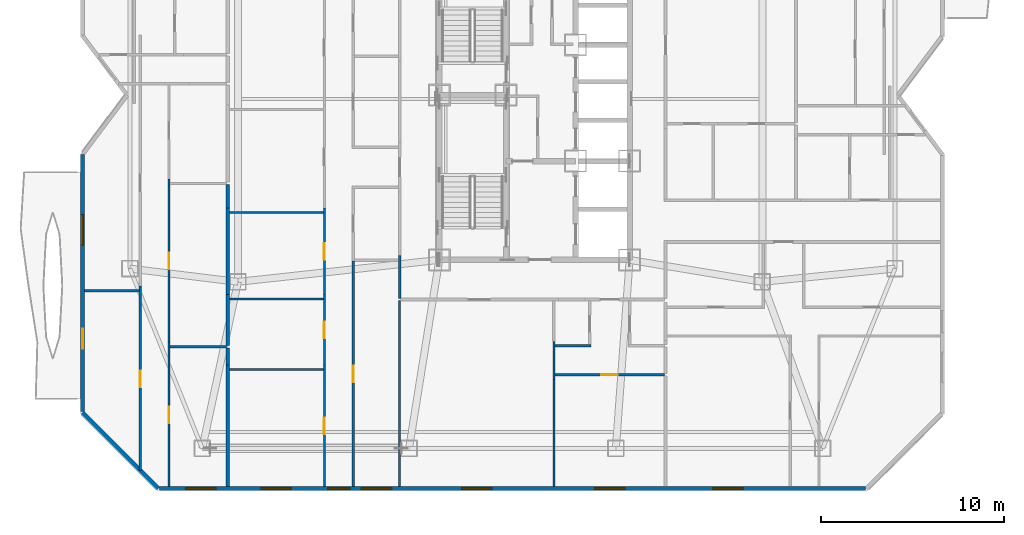
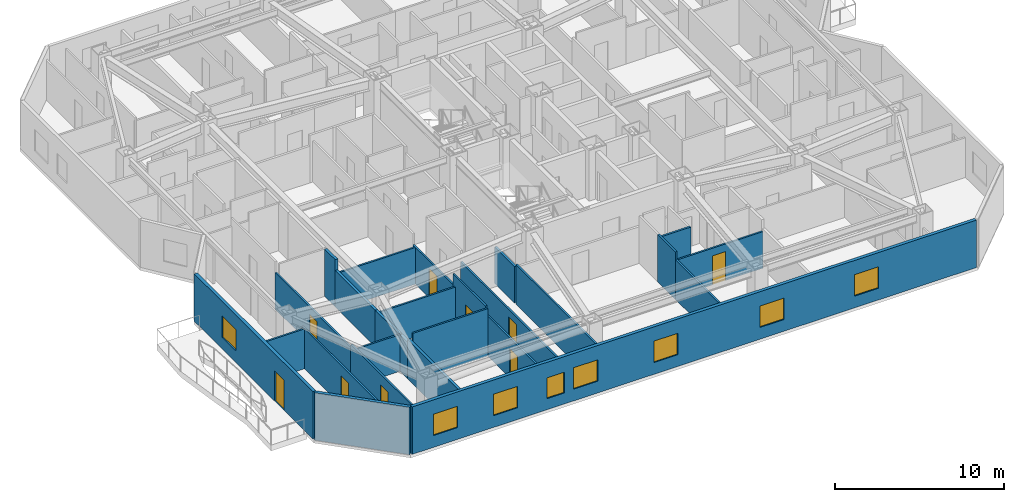
# One storey, part 7 of 16: 26 walls, 9 doors, 8 windows, 17 openings.
"""IFC4 building model written with IfcOpenShell, lengths in metres."""

from ifc_helpers import new_model, si_unit, direction, frame, frame_2d, origin, place, context, subcontext, project, spatial, rectangle, extrude, material, layer, layer_set, type_object, element, fill, save


model = new_model("IFC4")

# Units and contexts
model_context = context("Model", 3, precision=1e-05, world=origin(), true_north=direction((0.0, 1.0)))
body_context = subcontext(model_context, "Body", "Model", "MODEL_VIEW")
ifc_project = project(units=[si_unit("LENGTHUNIT", "METRE"), si_unit("AREAUNIT", "SQUARE_METRE"), si_unit("VOLUMEUNIT", "CUBIC_METRE"), si_unit("PLANEANGLEUNIT", "RADIAN"), si_unit("MASSUNIT", "GRAM", prefix="KILO")], contexts=[model_context])

# Site, building, storey
site_placement = place(None, origin())
site = spatial("IfcSite", under=ifc_project, at=site_placement, CompositionType="ELEMENT")
building_placement = place(site_placement, origin())
building = spatial("IfcBuilding", under=site, at=building_placement, Name="Khamvora Tower", CompositionType="ELEMENT")
storey_placement = place(building_placement, frame((0.0, 0.0, 134.75)))
storey = spatial("IfcBuildingStorey", under=building, at=storey_placement, Name="L34", CompositionType="ELEMENT", Elevation=134.75)

# Walls
ifc_material_1 = material(Name="Fire-Rated Drywall and Steel Stud", Category="steel")
ifc_layer_1 = layer(ifc_material_1, 0.14990234375)
ifc_layer_set_1 = layer_set([ifc_layer_1], Name="Fire-Rated Drywall and Steel Stud")
wall_type_1 = type_object("IfcWallType", Name="WAL-CORR-150", PredefinedType="STANDARD", material=ifc_layer_set_1)
wall_1_placement = place(storey_placement, frame((26.8349609375, 16.89990234375, 0.0), z_axis=(0.0, 0.0, 1.0), x_axis=(0.0, 1.0, 0.0)))
element("IfcWall", 1, at=wall_1_placement, inside=storey, type_object=wall_type_1, Name="L34 interior partition wall 012", PredefinedType="STANDARD", context=body_context, shape_type="SweptSolid", body=[
    extrude(rectangle(XDim=2.343017578125, YDim=0.14990234375, at=frame_2d((1.17138671875, 0.0))), origin(), (0.0, 0.0, 1.0), 2.64697265625),
])
ifc_material_2 = material(Name="Acoustic Double-Stud Fire Wall", Category="gypsum")
ifc_layer_2 = layer(ifc_material_2, 0.179931640625)
ifc_layer_set_2 = layer_set([ifc_layer_2], Name="Acoustic Double-Stud Fire Wall")
wall_type_2 = type_object("IfcWallType", Name="WAL-CORR-180", PredefinedType="STANDARD", material=ifc_layer_set_2)
wall_2_placement = place(storey_placement, frame((17.449951171875, 13.262939453125, 0.0), z_axis=(0.0, 0.0, 1.0), x_axis=(0.0, -1.0, 0.0)))
element("IfcWall", 2, at=wall_2_placement, inside=storey, type_object=wall_type_2, Name="L34 interior partition wall 064", PredefinedType="STANDARD", context=body_context, shape_type="SweptSolid", body=[
    extrude(rectangle(XDim=6.65087890625, YDim=0.179931640625, at=frame_2d((3.325439453125, 0.0))), origin(), (0.0, 0.0, 1.0), 2.8759765625),
])
wall_3_placement = place(storey_placement, frame((17.449951171875, 14.18896484375, 0.0), z_axis=(0.0, 0.0, 1.0), x_axis=(0.0, -1.0, 0.0)))
element("IfcWall", 3, at=wall_3_placement, inside=storey, type_object=wall_type_2, Name="L34 interior partition wall 065", PredefinedType="STANDARD", context=body_context, shape_type="SweptSolid", body=[
    extrude(rectangle(XDim=0.926025390625, YDim=0.179931640625, at=frame_2d((0.462890625, 0.0))), origin(), (0.0, 0.0, 1.0), 2.64697265625),
])
wall_4_placement = place(storey_placement, frame((17.449951171875, 17.112060546875, 0.0), z_axis=(0.0, 0.0, 1.0), x_axis=(0.0, -1.0, 0.0)))
element("IfcWall", 4, at=wall_4_placement, inside=storey, type_object=wall_type_2, Name="L34 interior partition wall 067", PredefinedType="STANDARD", context=body_context, shape_type="SweptSolid", body=[
    extrude(rectangle(XDim=2.79296875, YDim=0.179931640625, at=frame_2d((1.396484375, 0.0))), origin(), (0.0, 0.0, 1.0), 2.64697265625),
])
wall_5_placement = place(storey_placement, frame((17.449951171875, 21.845947265625, 0.0), z_axis=(0.0, 0.0, 1.0), x_axis=(0.0, -1.0, 0.0)))
element("IfcWall", 5, at=wall_5_placement, inside=storey, type_object=wall_type_2, Name="L34 interior partition wall 068", PredefinedType="STANDARD", context=body_context, shape_type="SweptSolid", body=[
    extrude(rectangle(XDim=4.73388671875, YDim=0.179931640625, at=frame_2d((2.366943359375, 0.0))), origin(), (0.0, 0.0, 1.0), 2.64697265625),
])
wall_6_placement = place(storey_placement, frame((17.449951171875, 23.116943359375, 0.0), z_axis=(0.0, 0.0, 1.0), x_axis=(0.0, -1.0, 0.0)))
element("IfcWall", 6, at=wall_6_placement, inside=storey, type_object=wall_type_2, Name="L34 interior partition wall 069", PredefinedType="STANDARD", context=body_context, shape_type="SweptSolid", body=[
    extrude(rectangle(XDim=1.27099609375, YDim=0.179931640625, at=frame_2d((0.635498046875, 0.0))), origin(), (0.0, 0.0, 1.0), 3.429931640625),
])
ifc_material_3 = material(Name="Precast concrete C40/50", Category="concrete")
ifc_layer_3 = layer(ifc_material_3, 0.219970703125)
ifc_layer_set_3 = layer_set([ifc_layer_3], Name="Precast concrete C40/50")
wall_type_3 = type_object("IfcWallType", Name="WAL-EXT-220", PredefinedType="STANDARD", material=ifc_layer_set_3)
wall_7_placement = place(storey_placement, frame((13.64599609375, 6.510009765625, 0.0), z_axis=(0.0, 0.0, 1.0), x_axis=(-0.707106781187, 0.707106781187, 0.0)))
element("IfcWall", 7, at=wall_7_placement, inside=storey, type_object=wall_type_3, Name="L34 exterior facade wall 01.1", PredefinedType="STANDARD", context=body_context, shape_type="SweptSolid", body=[
    extrude(rectangle(XDim=5.84912109375, YDim=0.219970703125, at=frame_2d((2.924560546875, 0.0))), origin(), (0.0, 0.0, 1.0), 3.429931640625),
])

# Wall, openings, door, window
wall_8_placement = place(storey_placement, frame((9.510009765625, 10.717041015625, 0.0), z_axis=(0.0, 0.0, 1.0), x_axis=(0.0, 1.0, 0.0)))
wall_8 = element("IfcWall", 8, at=wall_8_placement, inside=storey, type_object=wall_type_3, Name="L34 exterior facade wall 02.1", PredefinedType="STANDARD", context=body_context, shape_type="SweptSolid", body=[
    extrude(rectangle(XDim=14.0458984375, YDim=0.219970703125, at=frame_2d((7.02294921875, 0.0))), origin(), (0.0, 0.0, 1.0), 3.429931640625),
])
opening_1_placement = place(wall_8_placement, frame((3.427001953125, 0.0, 0.0)))
opening_1 = element("IfcOpeningElement", 9, at=opening_1_placement, cuts=wall_8, Name="Opening BD-01", PredefinedType="OPENING", context=body_context, shape_type="SweptSolid", body=[
    extrude(rectangle(XDim=1.10009765625, YDim=2.199951171875, at=frame_2d((0.550048828125, 1.10009765625))), frame((0.0, 0.119873046875, 0.0), z_axis=(0.0, -1.0, 0.0), x_axis=(1.0, 0.0, 0.0)), (0.0, 0.0, 1.0), 0.239990234375),
])
opening_2_placement = place(wall_8_placement, frame((9.10400390625, 0.0, 0.85009765625)))
opening_2 = element("IfcOpeningElement", 10, at=opening_2_placement, cuts=wall_8, Name="Opening WN-06", PredefinedType="OPENING", context=body_context, shape_type="SweptSolid", body=[
    extrude(rectangle(XDim=1.64990234375, YDim=1.550048828125, at=frame_2d((0.824951171875, 0.77490234375))), frame((0.0, 0.119873046875, 0.0), z_axis=(0.0, -1.0, 0.0), x_axis=(1.0, 0.0, 0.0)), (0.0, 0.0, 1.0), 0.239990234375),
])
ifc_material_4 = material(Name="Anodised Aluminium and Laminated Safety Glass", Category="aluminium")
door_type_1 = type_object("IfcDoorType", Name="DOR-BAL-1100", OperationType="NOTDEFINED", PredefinedType="DOOR", material=ifc_material_4)
door_1_placement = place(opening_1_placement, origin())
door_1 = element("IfcDoor", 11, at=door_1_placement, inside=storey, type_object=door_type_1, Name="L34 lens gallery balcony door WL1", OperationType="SLIDING_TO_LEFT", OverallHeight=2.199951171875, OverallWidth=1.10009765625, PredefinedType="DOOR", context=body_context, shape_type="SweptSolid", body=[
    extrude(rectangle(XDim=1.10009765625, YDim=2.199951171875, at=frame_2d((0.550048828125, 1.10009765625))), frame((0.0, 0.02490234375, 0.0), z_axis=(0.0, -1.0, 0.0), x_axis=(1.0, 0.0, 0.0)), (0.0, 0.0, 1.0), 0.050048828125),
])
fill(opening_1, door_1)
ifc_material_5 = material(Name="Low-E Laminated Double Glazing", Category="glass")
window_type_1 = type_object("IfcWindowType", Name="WIN-VIS-1650x1550", PartitioningType="SINGLE_PANEL", PredefinedType="WINDOW", material=ifc_material_5)
window_1_placement = place(opening_2_placement, origin())
window_1 = element("IfcWindow", 12, at=window_1_placement, inside=storey, type_object=window_type_1, Name="L34 vision window 02.1.01", OverallHeight=1.550048828125, OverallWidth=1.64990234375, PartitioningType="SINGLE_PANEL", PredefinedType="WINDOW", context=body_context, shape_type="SweptSolid", body=[
    extrude(rectangle(XDim=1.64990234375, YDim=1.550048828125, at=frame_2d((0.824951171875, 0.77490234375))), frame((0.0, 0.030029296875, 0.0), z_axis=(0.0, -1.0, 0.0), x_axis=(1.0, 0.0, 0.0)), (0.0, 0.0, 1.0), 0.06005859375),
])
fill(opening_2, window_1)

# Wall, openings, windows
wall_9_placement = place(storey_placement, frame((52.282958984375, 6.510009765625, 0.0), z_axis=(0.0, 0.0, 1.0), x_axis=(-1.0, 0.0, 0.0)))
wall_9 = element("IfcWall", 13, at=wall_9_placement, inside=storey, type_object=wall_type_3, Name="L34 exterior facade wall 14.1", PredefinedType="STANDARD", context=body_context, shape_type="SweptSolid", body=[
    extrude(rectangle(XDim=38.56787109375, YDim=0.219970703125, at=frame_2d((19.283935546875, 0.0))), origin(), (0.0, 0.0, 1.0), 3.429931640625),
])
opening_3_placement = place(wall_9_placement, frame((20.407958984375, 0.0, 0.85009765625)))
opening_3 = element("IfcOpeningElement", 14, at=opening_3_placement, cuts=wall_9, Name="Opening WN-06", PredefinedType="OPENING", context=body_context, shape_type="SweptSolid", body=[
    extrude(rectangle(XDim=1.64990234375, YDim=1.550048828125, at=frame_2d((0.824951171875, 0.77490234375))), frame((0.0, 0.119873046875, 0.0), z_axis=(0.0, -1.0, 0.0), x_axis=(1.0, 0.0, 0.0)), (0.0, 0.0, 1.0), 0.239990234375),
])
opening_4_placement = place(wall_9_placement, frame((35.48291015625, 0.0, 0.85009765625)))
opening_4 = element("IfcOpeningElement", 15, at=opening_4_placement, cuts=wall_9, Name="Opening WN-06", PredefinedType="OPENING", context=body_context, shape_type="SweptSolid", body=[
    extrude(rectangle(XDim=1.64990234375, YDim=1.550048828125, at=frame_2d((0.824951171875, 0.77490234375))), frame((0.0, 0.119873046875, 0.0), z_axis=(0.0, -1.0, 0.0), x_axis=(1.0, 0.0, 0.0)), (0.0, 0.0, 1.0), 0.239990234375),
])
opening_5_placement = place(wall_9_placement, frame((25.887939453125, 0.0, 0.85009765625)))
opening_5 = element("IfcOpeningElement", 16, at=opening_5_placement, cuts=wall_9, Name="Opening WN-06", PredefinedType="OPENING", context=body_context, shape_type="SweptSolid", body=[
    extrude(rectangle(XDim=1.64990234375, YDim=1.550048828125, at=frame_2d((0.824951171875, 0.77490234375))), frame((0.0, 0.119873046875, 0.0), z_axis=(0.0, -1.0, 0.0), x_axis=(1.0, 0.0, 0.0)), (0.0, 0.0, 1.0), 0.239990234375),
])
opening_6_placement = place(wall_9_placement, frame((28.16796875, 0.0, 0.800048828125)))
opening_6 = element("IfcOpeningElement", 17, at=opening_6_placement, cuts=wall_9, Name="Opening WN-03", PredefinedType="OPENING", context=body_context, shape_type="SweptSolid", body=[
    extrude(rectangle(XDim=1.199951171875, YDim=1.5, at=frame_2d((0.60009765625, 0.75))), frame((0.0, 0.119873046875, 0.0), z_axis=(0.0, -1.0, 0.0), x_axis=(1.0, 0.0, 0.0)), (0.0, 0.0, 1.0), 0.239990234375),
])
opening_7_placement = place(wall_9_placement, frame((31.37109375, 0.0, 0.85009765625)))
opening_7 = element("IfcOpeningElement", 18, at=opening_7_placement, cuts=wall_9, Name="Opening WN-06", PredefinedType="OPENING", context=body_context, shape_type="SweptSolid", body=[
    extrude(rectangle(XDim=1.64990234375, YDim=1.550048828125, at=frame_2d((0.824951171875, 0.77490234375))), frame((0.0, 0.119873046875, 0.0), z_axis=(0.0, -1.0, 0.0), x_axis=(1.0, 0.0, 0.0)), (0.0, 0.0, 1.0), 0.239990234375),
])
opening_8_placement = place(wall_9_placement, frame((13.14306640625, 0.0, 0.85009765625)))
opening_8 = element("IfcOpeningElement", 19, at=opening_8_placement, cuts=wall_9, Name="Opening WN-06", PredefinedType="OPENING", context=body_context, shape_type="SweptSolid", body=[
    extrude(rectangle(XDim=1.64990234375, YDim=1.550048828125, at=frame_2d((0.824951171875, 0.77490234375))), frame((0.0, 0.119873046875, 0.0), z_axis=(0.0, -1.0, 0.0), x_axis=(1.0, 0.0, 0.0)), (0.0, 0.0, 1.0), 0.239990234375),
])
opening_9_placement = place(wall_9_placement, frame((6.68798828125, 0.0, 0.85009765625)))
opening_9 = element("IfcOpeningElement", 20, at=opening_9_placement, cuts=wall_9, Name="Opening WN-06", PredefinedType="OPENING", context=body_context, shape_type="SweptSolid", body=[
    extrude(rectangle(XDim=1.64990234375, YDim=1.550048828125, at=frame_2d((0.824951171875, 0.77490234375))), frame((0.0, 0.119873046875, 0.0), z_axis=(0.0, -1.0, 0.0), x_axis=(1.0, 0.0, 0.0)), (0.0, 0.0, 1.0), 0.239990234375),
])
window_type_2 = type_object("IfcWindowType", Name="WIN-VIS-1200x1500", PartitioningType="SINGLE_PANEL", PredefinedType="WINDOW", material=ifc_material_5)
window_2_placement = place(opening_6_placement, origin())
window_2 = element("IfcWindow", 21, at=window_2_placement, inside=storey, type_object=window_type_2, Name="L34 vision window 14.1.04", OverallHeight=1.5, OverallWidth=1.199951171875, PartitioningType="SINGLE_PANEL", PredefinedType="WINDOW", context=body_context, shape_type="SweptSolid", body=[
    extrude(rectangle(XDim=1.199951171875, YDim=1.5, at=frame_2d((0.60009765625, 0.75))), frame((0.0, 0.030029296875, 0.0), z_axis=(0.0, -1.0, 0.0), x_axis=(1.0, 0.0, 0.0)), (0.0, 0.0, 1.0), 0.06005859375),
])
fill(opening_6, window_2)
window_3_placement = place(opening_3_placement, origin())
window_3 = element("IfcWindow", 22, at=window_3_placement, inside=storey, type_object=window_type_1, Name="L34 vision window 14.1.01", OverallHeight=1.550048828125, OverallWidth=1.64990234375, PartitioningType="SINGLE_PANEL", PredefinedType="WINDOW", context=body_context, shape_type="SweptSolid", body=[
    extrude(rectangle(XDim=1.64990234375, YDim=1.550048828125, at=frame_2d((0.824951171875, 0.77490234375))), frame((0.0, 0.030029296875, 0.0), z_axis=(0.0, -1.0, 0.0), x_axis=(1.0, 0.0, 0.0)), (0.0, 0.0, 1.0), 0.06005859375),
])
fill(opening_3, window_3)
window_4_placement = place(opening_4_placement, origin())
window_4 = element("IfcWindow", 23, at=window_4_placement, inside=storey, type_object=window_type_1, Name="L34 vision window 14.1.02", OverallHeight=1.550048828125, OverallWidth=1.64990234375, PartitioningType="SINGLE_PANEL", PredefinedType="WINDOW", context=body_context, shape_type="SweptSolid", body=[
    extrude(rectangle(XDim=1.64990234375, YDim=1.550048828125, at=frame_2d((0.824951171875, 0.77490234375))), frame((0.0, 0.030029296875, 0.0), z_axis=(0.0, -1.0, 0.0), x_axis=(1.0, 0.0, 0.0)), (0.0, 0.0, 1.0), 0.06005859375),
])
fill(opening_4, window_4)
window_5_placement = place(opening_5_placement, origin())
window_5 = element("IfcWindow", 24, at=window_5_placement, inside=storey, type_object=window_type_1, Name="L34 vision window 14.1.03", OverallHeight=1.550048828125, OverallWidth=1.64990234375, PartitioningType="SINGLE_PANEL", PredefinedType="WINDOW", context=body_context, shape_type="SweptSolid", body=[
    extrude(rectangle(XDim=1.64990234375, YDim=1.550048828125, at=frame_2d((0.824951171875, 0.77490234375))), frame((0.0, 0.030029296875, 0.0), z_axis=(0.0, -1.0, 0.0), x_axis=(1.0, 0.0, 0.0)), (0.0, 0.0, 1.0), 0.06005859375),
])
fill(opening_5, window_5)
window_6_placement = place(opening_7_placement, origin())
window_6 = element("IfcWindow", 25, at=window_6_placement, inside=storey, type_object=window_type_1, Name="L34 vision window 14.1.05", OverallHeight=1.550048828125, OverallWidth=1.64990234375, PartitioningType="SINGLE_PANEL", PredefinedType="WINDOW", context=body_context, shape_type="SweptSolid", body=[
    extrude(rectangle(XDim=1.64990234375, YDim=1.550048828125, at=frame_2d((0.824951171875, 0.77490234375))), frame((0.0, 0.030029296875, 0.0), z_axis=(0.0, -1.0, 0.0), x_axis=(1.0, 0.0, 0.0)), (0.0, 0.0, 1.0), 0.06005859375),
])
fill(opening_7, window_6)
window_7_placement = place(opening_8_placement, origin())
window_7 = element("IfcWindow", 26, at=window_7_placement, inside=storey, type_object=window_type_1, Name="L34 vision window 14.1.06", OverallHeight=1.550048828125, OverallWidth=1.64990234375, PartitioningType="SINGLE_PANEL", PredefinedType="WINDOW", context=body_context, shape_type="SweptSolid", body=[
    extrude(rectangle(XDim=1.64990234375, YDim=1.550048828125, at=frame_2d((0.824951171875, 0.77490234375))), frame((0.0, 0.030029296875, 0.0), z_axis=(0.0, -1.0, 0.0), x_axis=(1.0, 0.0, 0.0)), (0.0, 0.0, 1.0), 0.06005859375),
])
fill(opening_8, window_7)
window_8_placement = place(opening_9_placement, origin())
window_8 = element("IfcWindow", 27, at=window_8_placement, inside=storey, type_object=window_type_1, Name="L34 vision window 14.1.07", OverallHeight=1.550048828125, OverallWidth=1.64990234375, PartitioningType="SINGLE_PANEL", PredefinedType="WINDOW", context=body_context, shape_type="SweptSolid", body=[
    extrude(rectangle(XDim=1.64990234375, YDim=1.550048828125, at=frame_2d((0.824951171875, 0.77490234375))), frame((0.0, 0.030029296875, 0.0), z_axis=(0.0, -1.0, 0.0), x_axis=(1.0, 0.0, 0.0)), (0.0, 0.0, 1.0), 0.06005859375),
])
fill(opening_9, window_8)

# Walls
ifc_material_6 = material(Name="Gypsum Plasterboard Partition", Category="gypsum")
ifc_layer_4 = layer(ifc_material_6, 0.1201171875)
ifc_layer_set_4 = layer_set([ifc_layer_4], Name="Gypsum Plasterboard Partition")
wall_type_4 = type_object("IfcWallType", Name="WAL-PART-120", PredefinedType="PARTITIONING", material=ifc_layer_set_4)
wall_10_placement = place(storey_placement, frame((26.8349609375, 6.612060546875, 0.0), z_axis=(0.0, 0.0, 1.0), x_axis=(0.0, 1.0, 0.0)))
element("IfcWall", 28, at=wall_10_placement, inside=storey, type_object=wall_type_4, Name="L34 interior partition wall 045", PredefinedType="PARTITIONING", context=body_context, shape_type="SweptSolid", body=[
    extrude(rectangle(XDim=10.157958984375, YDim=0.1201171875, at=frame_2d((5.0791015625, 0.0))), origin(), (0.0, 0.0, 1.0), 2.8759765625),
])
wall_11_placement = place(storey_placement, frame((35.264892578125, 14.553955078125, 0.0), z_axis=(0.0, 0.0, 1.0), x_axis=(0.0, -1.0, 0.0)))
element("IfcWall", 29, at=wall_11_placement, inside=storey, type_object=wall_type_4, Name="L34 interior partition wall 046", PredefinedType="PARTITIONING", context=body_context, shape_type="SweptSolid", body=[
    extrude(rectangle(XDim=2.077880859375, YDim=0.1201171875, at=frame_2d((1.0390625, 0.0))), origin(), (0.0, 0.0, 1.0), 3.429931640625),
])
wall_12_placement = place(storey_placement, frame((35.264892578125, 12.47607421875, 0.0), z_axis=(0.0, 0.0, 1.0), x_axis=(0.0, -1.0, 0.0)))
element("IfcWall", 30, at=wall_12_placement, inside=storey, type_object=wall_type_4, Name="L34 interior partition wall 048", PredefinedType="PARTITIONING", context=body_context, shape_type="SweptSolid", body=[
    extrude(rectangle(XDim=5.864013671875, YDim=0.1201171875, at=frame_2d((2.93212890625, 0.0))), origin(), (0.0, 0.0, 1.0), 2.8759765625),
])

# Wall, opening, door
wall_13_placement = place(storey_placement, frame((12.662109375, 7.48291015625, 0.0), z_axis=(0.0, 0.0, 1.0), x_axis=(0.0, 1.0, 0.0)))
wall_13 = element("IfcWall", 31, at=wall_13_placement, inside=storey, type_object=wall_type_4, Name="L34 interior partition wall 053", PredefinedType="PARTITIONING", context=body_context, shape_type="SweptSolid", body=[
    extrude(rectangle(XDim=10.080078125, YDim=0.1201171875, at=frame_2d((5.0400390625, 0.0))), origin(), (0.0, 0.0, 1.0), 2.8759765625),
])
opening_10_placement = place(wall_13_placement, frame((4.569091796875, 0.0, 0.0)))
opening_10 = element("IfcOpeningElement", 32, at=opening_10_placement, cuts=wall_13, Name="Opening D-RM1", PredefinedType="OPENING", context=body_context, shape_type="SweptSolid", body=[
    extrude(rectangle(XDim=0.89990234375, YDim=2.10009765625, at=frame_2d((0.449951171875, 1.050048828125))), frame((0.0, 0.070068359375, 0.0), z_axis=(0.0, -1.0, 0.0), x_axis=(1.0, 0.0, 0.0)), (0.0, 0.0, 1.0), 0.14013671875),
])
ifc_material_7 = material(Name="Powder-Coated Steel and Hardwood Leaf", Category="steel")
door_type_2 = type_object("IfcDoorType", Name="DOR-ROOM-900", OperationType="NOTDEFINED", PredefinedType="DOOR", material=ifc_material_7)
door_2_placement = place(opening_10_placement, origin())
door_2 = element("IfcDoor", 33, at=door_2_placement, inside=storey, type_object=door_type_2, Name="L34 interior door 34WA1H-34WA1L", OperationType="SINGLE_SWING_LEFT", OverallHeight=2.10009765625, OverallWidth=0.89990234375, PredefinedType="DOOR", context=body_context, shape_type="SweptSolid", body=[
    extrude(rectangle(XDim=0.89990234375, YDim=2.10009765625, at=frame_2d((0.449951171875, 1.050048828125))), frame((0.0, 0.02490234375, 0.0), z_axis=(0.0, -1.0, 0.0), x_axis=(1.0, 0.0, 0.0)), (0.0, 0.0, 1.0), 0.050048828125),
])
fill(opening_10, door_2)

wall_14_placement = place(storey_placement, frame((14.23193359375, 14.50390625, 0.0), z_axis=(0.0, 0.0, 1.0), x_axis=(0.0, -1.0, 0.0)))
wall_14 = element("IfcWall", 34, at=wall_14_placement, inside=storey, type_object=wall_type_4, Name="L34 interior partition wall 056", PredefinedType="PARTITIONING", context=body_context, shape_type="SweptSolid", body=[
    extrude(rectangle(XDim=7.891845703125, YDim=0.1201171875, at=frame_2d((3.94580078125, 0.0))), origin(), (0.0, 0.0, 1.0), 2.8759765625),
])
opening_11_placement = place(wall_14_placement, frame((3.51806640625, 0.0, 0.0)))
opening_11 = element("IfcOpeningElement", 35, at=opening_11_placement, cuts=wall_14, Name="Opening D-RM1", PredefinedType="OPENING", context=body_context, shape_type="SweptSolid", body=[
    extrude(rectangle(XDim=0.89990234375, YDim=2.10009765625, at=frame_2d((0.449951171875, 1.050048828125))), frame((0.0, 0.070068359375, 0.0), z_axis=(0.0, -1.0, 0.0), x_axis=(1.0, 0.0, 0.0)), (0.0, 0.0, 1.0), 0.14013671875),
])
door_3_placement = place(opening_11_placement, origin())
door_3 = element("IfcDoor", 36, at=door_3_placement, inside=storey, type_object=door_type_2, Name="L34 interior door 34WA1H-34WA1R3", OperationType="SINGLE_SWING_RIGHT", OverallHeight=2.10009765625, OverallWidth=0.89990234375, PredefinedType="DOOR", context=body_context, shape_type="SweptSolid", body=[
    extrude(rectangle(XDim=0.89990234375, YDim=2.10009765625, at=frame_2d((0.449951171875, 1.050048828125))), frame((0.0, 0.02490234375, 0.0), z_axis=(0.0, -1.0, 0.0), x_axis=(1.0, 0.0, 0.0)), (0.0, 0.0, 1.0), 0.050048828125),
])
fill(opening_11, door_3)

wall_15_placement = place(storey_placement, frame((14.23193359375, 23.430908203125, 0.0), z_axis=(0.0, 0.0, 1.0), x_axis=(0.0, -1.0, 0.0)))
wall_15 = element("IfcWall", 37, at=wall_15_placement, inside=storey, type_object=wall_type_4, Name="L34 interior partition wall 057", PredefinedType="PARTITIONING", context=body_context, shape_type="SweptSolid", body=[
    extrude(rectangle(XDim=8.927001953125, YDim=0.1201171875, at=frame_2d((4.46337890625, 0.0))), origin(), (0.0, 0.0, 1.0), 2.64697265625),
])
opening_12_placement = place(wall_15_placement, frame((4.033935546875, 0.0, 0.0)))
opening_12 = element("IfcOpeningElement", 38, at=opening_12_placement, cuts=wall_15, Name="Opening D-RM1", PredefinedType="OPENING", context=body_context, shape_type="SweptSolid", body=[
    extrude(rectangle(XDim=0.89990234375, YDim=2.10009765625, at=frame_2d((0.449951171875, 1.050048828125))), frame((0.0, 0.070068359375, 0.0), z_axis=(0.0, -1.0, 0.0), x_axis=(1.0, 0.0, 0.0)), (0.0, 0.0, 1.0), 0.14013671875),
])
door_4_placement = place(opening_12_placement, origin())
door_4 = element("IfcDoor", 39, at=door_4_placement, inside=storey, type_object=door_type_2, Name="L34 interior door 34WA1H-34WA1R4", OperationType="SINGLE_SWING_LEFT", OverallHeight=2.10009765625, OverallWidth=0.89990234375, PredefinedType="DOOR", context=body_context, shape_type="SweptSolid", body=[
    extrude(rectangle(XDim=0.89990234375, YDim=2.10009765625, at=frame_2d((0.449951171875, 1.050048828125))), frame((0.0, 0.02490234375, 0.0), z_axis=(0.0, -1.0, 0.0), x_axis=(1.0, 0.0, 0.0)), (0.0, 0.0, 1.0), 0.050048828125),
])
fill(opening_12, door_4)

# Walls
wall_16_placement = place(storey_placement, frame((9.612060546875, 17.31396484375, 0.0), z_axis=(0.0, 0.0, 1.0), x_axis=(1.0, 0.0, 0.0)))
element("IfcWall", 40, at=wall_16_placement, inside=storey, type_object=wall_type_4, Name="L34 interior partition wall 062", PredefinedType="PARTITIONING", context=body_context, shape_type="SweptSolid", body=[
    extrude(rectangle(XDim=2.995849609375, YDim=0.1201171875, at=frame_2d((1.498046875, 0.0))), origin(), (0.0, 0.0, 1.0), 2.8759765625),
])
wall_17_placement = place(storey_placement, frame((14.285888671875, 14.25390625, 0.0), z_axis=(0.0, 0.0, 1.0), x_axis=(1.0, 0.0, 0.0)))
element("IfcWall", 41, at=wall_17_placement, inside=storey, type_object=wall_type_4, Name="L34 interior partition wall 063", PredefinedType="PARTITIONING", context=body_context, shape_type="SweptSolid", body=[
    extrude(rectangle(XDim=3.09912109375, YDim=0.1201171875, at=frame_2d((1.549560546875, 0.0))), origin(), (0.0, 0.0, 1.0), 2.64697265625),
])

# Wall, opening, door
wall_18_placement = place(storey_placement, frame((24.304931640625, 6.612060546875, 0.0), z_axis=(0.0, 0.0, 1.0), x_axis=(0.0, 1.0, 0.0)))
wall_18 = element("IfcWall", 42, at=wall_18_placement, inside=storey, type_object=wall_type_4, Name="L34 interior partition wall 072", PredefinedType="PARTITIONING", context=body_context, shape_type="SweptSolid", body=[
    extrude(rectangle(XDim=12.31689453125, YDim=0.1201171875, at=frame_2d((6.158447265625, 0.0))), origin(), (0.0, 0.0, 1.0), 2.64697265625),
])
opening_13_placement = place(wall_18_placement, frame((5.7080078125, 0.0, 0.0)))
opening_13 = element("IfcOpeningElement", 43, at=opening_13_placement, cuts=wall_18, Name="Opening D-RM1", PredefinedType="OPENING", context=body_context, shape_type="SweptSolid", body=[
    extrude(rectangle(XDim=0.89990234375, YDim=2.10009765625, at=frame_2d((0.449951171875, 1.050048828125))), frame((0.0, 0.070068359375, 0.0), z_axis=(0.0, -1.0, 0.0), x_axis=(1.0, 0.0, 0.0)), (0.0, 0.0, 1.0), 0.14013671875),
])
door_5_placement = place(opening_13_placement, origin())
door_5 = element("IfcDoor", 44, at=door_5_placement, inside=storey, type_object=door_type_2, Name="L34 interior door 34WA2W1-34WA2H", OperationType="SINGLE_SWING_LEFT", OverallHeight=2.10009765625, OverallWidth=0.89990234375, PredefinedType="DOOR", context=body_context, shape_type="SweptSolid", body=[
    extrude(rectangle(XDim=0.89990234375, YDim=2.10009765625, at=frame_2d((0.449951171875, 1.050048828125))), frame((0.0, 0.02490234375, 0.0), z_axis=(0.0, -1.0, 0.0), x_axis=(1.0, 0.0, 0.0)), (0.0, 0.0, 1.0), 0.050048828125),
])
fill(opening_13, door_5)

wall_19_placement = place(storey_placement, frame((22.72509765625, 6.612060546875, 0.0), z_axis=(0.0, 0.0, 1.0), x_axis=(0.0, 1.0, 0.0)))
wall_19 = element("IfcWall", 45, at=wall_19_placement, inside=storey, type_object=wall_type_4, Name="L34 interior partition wall 080", PredefinedType="PARTITIONING", context=body_context, shape_type="SweptSolid", body=[
    extrude(rectangle(XDim=6.65087890625, YDim=0.1201171875, at=frame_2d((3.325439453125, 0.0))), origin(), (0.0, 0.0, 1.0), 2.8759765625),
])
opening_14_placement = place(wall_19_placement, frame((2.85400390625, 0.0, 0.0)))
opening_14 = element("IfcOpeningElement", 46, at=opening_14_placement, cuts=wall_19, Name="Opening D-RM1", PredefinedType="OPENING", context=body_context, shape_type="SweptSolid", body=[
    extrude(rectangle(XDim=0.89990234375, YDim=2.10009765625, at=frame_2d((0.449951171875, 1.050048828125))), frame((0.0, 0.070068359375, 0.0), z_axis=(0.0, -1.0, 0.0), x_axis=(1.0, 0.0, 0.0)), (0.0, 0.0, 1.0), 0.14013671875),
])
door_6_placement = place(opening_14_placement, origin())
door_6 = element("IfcDoor", 47, at=door_6_placement, inside=storey, type_object=door_type_2, Name="L34 interior door 34WA2H-34WA2L", OperationType="SINGLE_SWING_LEFT", OverallHeight=2.10009765625, OverallWidth=0.89990234375, PredefinedType="DOOR", context=body_context, shape_type="SweptSolid", body=[
    extrude(rectangle(XDim=0.89990234375, YDim=2.10009765625, at=frame_2d((0.449951171875, 1.050048828125))), frame((0.0, 0.02490234375, 0.0), z_axis=(0.0, -1.0, 0.0), x_axis=(1.0, 0.0, 0.0)), (0.0, 0.0, 1.0), 0.050048828125),
])
fill(opening_14, door_6)

wall_20_placement = place(storey_placement, frame((22.72509765625, 13.262939453125, 0.0), z_axis=(0.0, 0.0, 1.0), x_axis=(0.0, 1.0, 0.0)))
wall_20 = element("IfcWall", 48, at=wall_20_placement, inside=storey, type_object=wall_type_4, Name="L34 interior partition wall 081", PredefinedType="PARTITIONING", context=body_context, shape_type="SweptSolid", body=[
    extrude(rectangle(XDim=3.84912109375, YDim=0.1201171875, at=frame_2d((1.924560546875, 0.0))), origin(), (0.0, 0.0, 1.0), 3.429931640625),
])
opening_15_placement = place(wall_20_placement, frame((1.4541015625, 0.0, 0.0)))
opening_15 = element("IfcOpeningElement", 49, at=opening_15_placement, cuts=wall_20, Name="Opening D-RM1", PredefinedType="OPENING", context=body_context, shape_type="SweptSolid", body=[
    extrude(rectangle(XDim=0.89990234375, YDim=2.10009765625, at=frame_2d((0.449951171875, 1.050048828125))), frame((0.0, 0.070068359375, 0.0), z_axis=(0.0, -1.0, 0.0), x_axis=(1.0, 0.0, 0.0)), (0.0, 0.0, 1.0), 0.14013671875),
])
door_7_placement = place(opening_15_placement, origin())
door_7 = element("IfcDoor", 50, at=door_7_placement, inside=storey, type_object=door_type_2, Name="L34 interior door 34WA2H-34WA2R2", OperationType="SINGLE_SWING_RIGHT", OverallHeight=2.10009765625, OverallWidth=0.89990234375, PredefinedType="DOOR", context=body_context, shape_type="SweptSolid", body=[
    extrude(rectangle(XDim=0.89990234375, YDim=2.10009765625, at=frame_2d((0.449951171875, 1.050048828125))), frame((0.0, 0.02490234375, 0.0), z_axis=(0.0, -1.0, 0.0), x_axis=(1.0, 0.0, 0.0)), (0.0, 0.0, 1.0), 0.050048828125),
])
fill(opening_15, door_7)

wall_21_placement = place(storey_placement, frame((22.72509765625, 17.112060546875, 0.0), z_axis=(0.0, 0.0, 1.0), x_axis=(0.0, 1.0, 0.0)))
wall_21 = element("IfcWall", 51, at=wall_21_placement, inside=storey, type_object=wall_type_4, Name="L34 interior partition wall 082", PredefinedType="PARTITIONING", context=body_context, shape_type="SweptSolid", body=[
    extrude(rectangle(XDim=4.73388671875, YDim=0.1201171875, at=frame_2d((2.366943359375, 0.0))), origin(), (0.0, 0.0, 1.0), 2.64697265625),
])
opening_16_placement = place(wall_21_placement, frame((1.89599609375, 0.0, 0.0)))
opening_16 = element("IfcOpeningElement", 52, at=opening_16_placement, cuts=wall_21, Name="Opening D-RM1", PredefinedType="OPENING", context=body_context, shape_type="SweptSolid", body=[
    extrude(rectangle(XDim=0.89990234375, YDim=2.10009765625, at=frame_2d((0.449951171875, 1.050048828125))), frame((0.0, 0.070068359375, 0.0), z_axis=(0.0, -1.0, 0.0), x_axis=(1.0, 0.0, 0.0)), (0.0, 0.0, 1.0), 0.14013671875),
])
door_8_placement = place(opening_16_placement, origin())
door_8 = element("IfcDoor", 53, at=door_8_placement, inside=storey, type_object=door_type_2, Name="L34 interior door 34WA2H-34WA2R3", OperationType="SINGLE_SWING_LEFT", OverallHeight=2.10009765625, OverallWidth=0.89990234375, PredefinedType="DOOR", context=body_context, shape_type="SweptSolid", body=[
    extrude(rectangle(XDim=0.89990234375, YDim=2.10009765625, at=frame_2d((0.449951171875, 1.050048828125))), frame((0.0, 0.02490234375, 0.0), z_axis=(0.0, -1.0, 0.0), x_axis=(1.0, 0.0, 0.0)), (0.0, 0.0, 1.0), 0.050048828125),
])
fill(opening_16, door_8)

# Walls
wall_22_placement = place(storey_placement, frame((17.531982421875, 13.013916015625, 0.0), z_axis=(0.0, 0.0, 1.0), x_axis=(1.0, 0.0, 0.0)))
element("IfcWall", 54, at=wall_22_placement, inside=storey, type_object=wall_type_4, Name="L34 interior partition wall 085", PredefinedType="PARTITIONING", context=body_context, shape_type="SweptSolid", body=[
    extrude(rectangle(XDim=5.138916015625, YDim=0.1201171875, at=frame_2d((2.5693359375, 0.0))), origin(), (0.0, 0.0, 1.0), 3.429931640625),
])
for number, where, z_axis, x_axis, name in (
    (55, (17.531982421875, 16.863037109375, 0.0), (0.0, 0.0, 1.0), (1.0, 0.0, 0.0), "L34 interior partition wall 086"),
    (56, (17.531982421875, 21.596923828125, 0.0), (0.0, 0.0, 1.0), (1.0, 0.0, 0.0), "L34 interior partition wall 087"),
):
    element("IfcWall", number, at=place(storey_placement, frame(where, z_axis=z_axis, x_axis=x_axis)), inside=storey, type_object=wall_type_4, Name=name, PredefinedType="PARTITIONING", context=body_context, shape_type="SweptSolid", body=[
        extrude(rectangle(XDim=5.138916015625, YDim=0.1201171875, at=frame_2d((2.5693359375, 0.0))), origin(), (0.0, 0.0, 1.0), 2.64697265625),
    ])

# Wall, opening, door
wall_23_placement = place(storey_placement, frame((41.300048828125, 12.72509765625, 0.0), z_axis=(0.0, 0.0, 1.0), x_axis=(-1.0, 0.0, 0.0)))
wall_23 = element("IfcWall", 57, at=wall_23_placement, inside=storey, type_object=wall_type_4, Name="L34 interior partition wall 117", PredefinedType="PARTITIONING", context=body_context, shape_type="SweptSolid", body=[
    extrude(rectangle(XDim=5.98095703125, YDim=0.1201171875, at=frame_2d((2.990478515625, 0.0))), origin(), (0.0, 0.0, 1.0), 2.64697265625),
])
opening_17_placement = place(wall_23_placement, frame((2.5400390625, 0.0, 0.0)))
opening_17 = element("IfcOpeningElement", 58, at=opening_17_placement, cuts=wall_23, Name="Opening D-RM1", PredefinedType="OPENING", context=body_context, shape_type="SweptSolid", body=[
    extrude(rectangle(XDim=0.89990234375, YDim=2.10009765625, at=frame_2d((0.449951171875, 1.050048828125))), frame((0.0, 0.070068359375, 0.0), z_axis=(0.0, -1.0, 0.0), x_axis=(1.0, 0.0, 0.0)), (0.0, 0.0, 1.0), 0.14013671875),
])
door_9_placement = place(opening_17_placement, origin())
door_9 = element("IfcDoor", 59, at=door_9_placement, inside=storey, type_object=door_type_2, Name="L34 interior door 34SAH-34SAR1", OperationType="SINGLE_SWING_RIGHT", OverallHeight=2.10009765625, OverallWidth=0.89990234375, PredefinedType="DOOR", context=body_context, shape_type="SweptSolid", body=[
    extrude(rectangle(XDim=0.89990234375, YDim=2.10009765625, at=frame_2d((0.449951171875, 1.050048828125))), frame((0.0, 0.02490234375, 0.0), z_axis=(0.0, -1.0, 0.0), x_axis=(1.0, 0.0, 0.0)), (0.0, 0.0, 1.0), 0.050048828125),
])
fill(opening_17, door_9)

# Wall
ifc_material_8 = material(Name="Moisture-Resistant Plasterboard Partition", Category="gypsum")
ifc_layer_5 = layer(ifc_material_8, 0.135009765625)
ifc_layer_set_5 = layer_set([ifc_layer_5], Name="Moisture-Resistant Plasterboard Partition")
wall_type_5 = type_object("IfcWallType", Name="WAL-WET-135", PredefinedType="PARTITIONING", material=ifc_layer_set_5)
wall_24_placement = place(storey_placement, frame((35.319091796875, 14.304931640625, 0.0), z_axis=(0.0, 0.0, 1.0), x_axis=(1.0, 0.0, 0.0)))
element("IfcWall", 60, at=wall_24_placement, inside=storey, type_object=wall_type_5, Name="L34 interior partition wall 113", PredefinedType="PARTITIONING", context=body_context, shape_type="SweptSolid", body=[
    extrude(rectangle(XDim=1.9609375, YDim=0.135009765625, at=frame_2d((0.98046875, 0.0))), origin(), (0.0, 0.0, 1.0), 3.429931640625),
])

save(model, "model.ifc")
